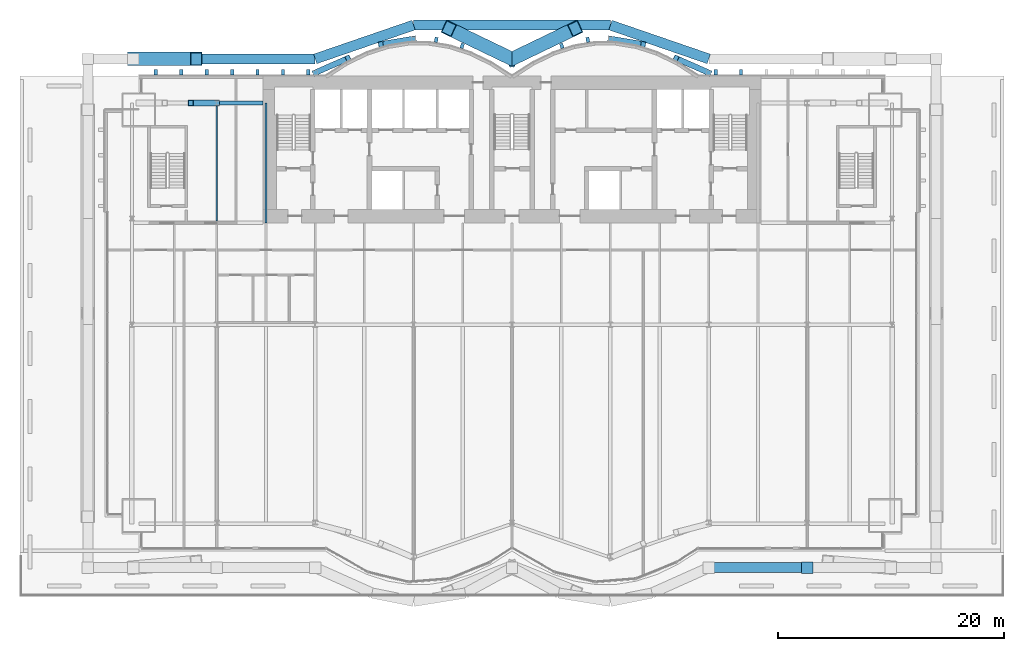
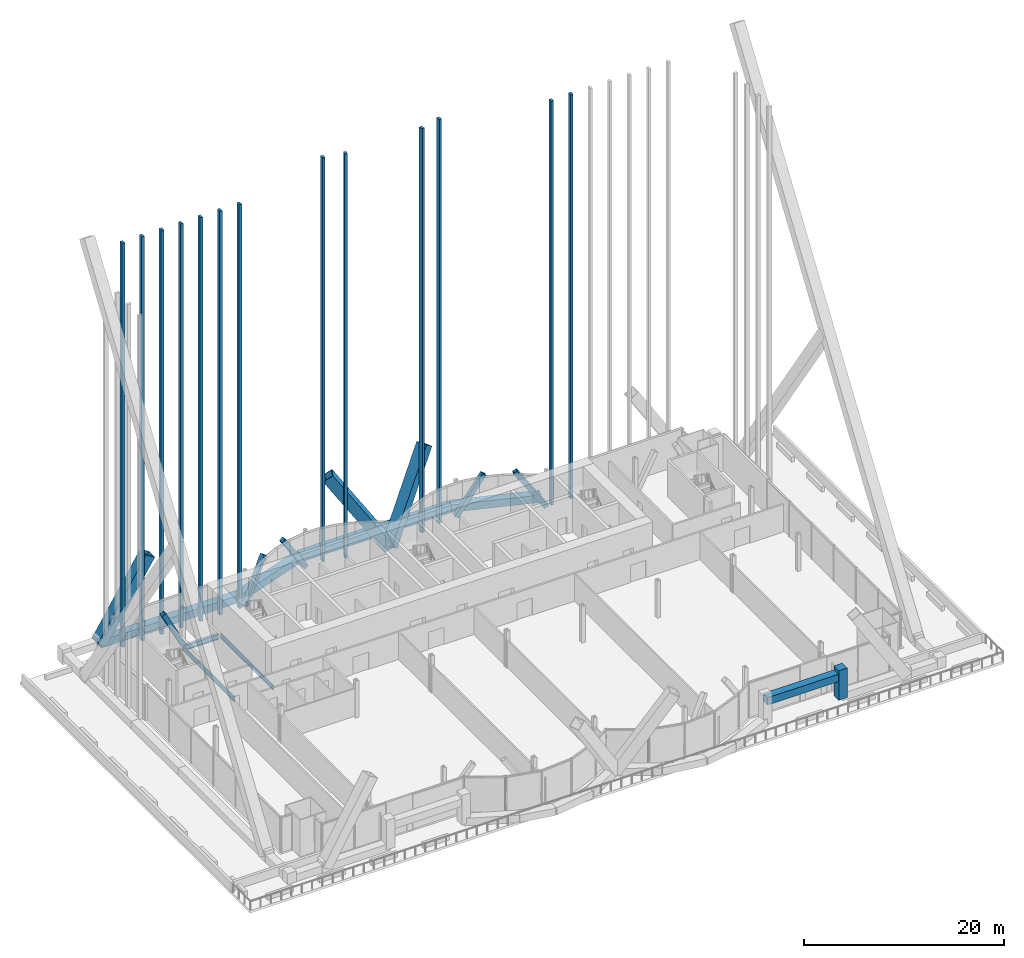
# One storey, part 14 of 29: 27 members, 3 beams, 6 elements without a shape of their own.
"""IFC4 building model written with IfcOpenShell, lengths in metres."""

from ifc_helpers import new_model, si_unit, direction, frame, origin, origin_2d, place, context, subcontext, project, spatial, rectangle, hollow_rectangle, i_section, extrude, material, material_profile, profile_set, type_object, element, aggregate, save


model = new_model("IFC4")

# Units and contexts
model_context = context("Model", 3, precision=1e-05, world=origin(), true_north=direction((0.0, 1.0)))
body_context = subcontext(model_context, "Body", "Model", "MODEL_VIEW")
ifc_project = project(units=[si_unit("LENGTHUNIT", "METRE"), si_unit("AREAUNIT", "SQUARE_METRE"), si_unit("VOLUMEUNIT", "CUBIC_METRE"), si_unit("PLANEANGLEUNIT", "RADIAN"), si_unit("MASSUNIT", "GRAM", prefix="KILO")], contexts=[model_context])

# Site, building, storey
site_placement = place(None, origin())
site = spatial("IfcSite", under=ifc_project, at=site_placement, CompositionType="ELEMENT")
building_placement = place(site_placement, origin())
building = spatial("IfcBuilding", under=site, at=building_placement, Name="Bicima Exchange Tower", CompositionType="ELEMENT")
storey_placement = place(building_placement, frame((0.0, 0.0, 35.0)))
storey = spatial("IfcBuildingStorey", under=building, at=storey_placement, Name="L06", CompositionType="ELEMENT", Elevation=35.0)

# Members
ifc_material_1 = material(Name="Steel ASTM A572 Gr 50", Category="steel")
ifc_material_profile_1 = material_profile(ifc_material_1, hollow_rectangle(XDim=0.89990234375, YDim=0.89990234375, WallThickness=0.050048828125, at=origin_2d()))
ifc_profile_set_1 = profile_set([ifc_material_profile_1], Name="Steel ASTM A572 Gr 50")
member_type_1 = type_object("IfcMemberType", Name="Exo belt ring BOX 900x900x50", PredefinedType="CHORD", material=ifc_profile_set_1)
member_1_placement = place(storey_placement, frame((17.39990234375, -43.4755859375, 2.949951171875), z_axis=(1.0, 0.0, 0.0), x_axis=(0.0, 1.0, 0.0)))
element("IfcMember", 1, at=member_1_placement, inside=storey, type_object=member_type_1, Name="Exo belt ring", PredefinedType="CHORD", context=body_context, shape_type="SweptSolid", body=[
    extrude(hollow_rectangle(XDim=0.89990234375, YDim=0.89990234375, WallThickness=0.050048828125, at=origin_2d()), origin(), (0.0, 0.0, 1.0), 8.7001953125),
])
member_2_placement = place(storey_placement, frame((17.39990234375, 1.5, 0.449951171875), z_axis=(-0.945666456746, 0.325138359143, 0.0), x_axis=(-0.325138359143, -0.945666456746, 0.0)))
element("IfcMember", 2, at=member_2_placement, inside=storey, type_object=member_type_1, Name="Exo belt ring", PredefinedType="CHORD", context=body_context, shape_type="SweptSolid", body=[
    extrude(hollow_rectangle(XDim=0.89990234375, YDim=0.89990234375, WallThickness=0.050048828125, at=origin_2d()), origin(), (0.0, 0.0, 1.0), 9.19970703125),
])
member_3_placement = place(storey_placement, frame((8.699951171875, 4.4912109375, 0.449951171875), z_axis=(-1.0, 0.0, 0.0), x_axis=(0.0, -1.0, 0.0)))
element("IfcMember", 3, at=member_3_placement, inside=storey, type_object=member_type_1, Name="Exo belt ring", PredefinedType="CHORD", context=body_context, shape_type="SweptSolid", body=[
    extrude(hollow_rectangle(XDim=0.89990234375, YDim=0.89990234375, WallThickness=0.050048828125, at=origin_2d()), origin(), (0.0, 0.0, 1.0), 17.39990234375),
])
member_4_placement = place(storey_placement, frame((-8.699951171875, 4.4912109375, 0.449951171875), z_axis=(-0.945666456746, -0.325138359143, 0.0), x_axis=(0.325138359143, -0.945666456746, 0.0)))
element("IfcMember", 4, at=member_4_placement, inside=storey, type_object=member_type_1, Name="Exo belt ring", PredefinedType="CHORD", context=body_context, shape_type="SweptSolid", body=[
    extrude(hollow_rectangle(XDim=0.89990234375, YDim=0.89990234375, WallThickness=0.050048828125, at=origin_2d()), origin(), (0.0, 0.0, 1.0), 9.19970703125),
])
member_5_placement = place(storey_placement, frame((-17.39990234375, 1.5, 0.449951171875), z_axis=(-1.0, 0.0, 0.0), x_axis=(0.0, -1.0, 0.0)))
element("IfcMember", 5, at=member_5_placement, inside=storey, type_object=member_type_1, Name="Exo belt ring", PredefinedType="CHORD", context=body_context, shape_type="SweptSolid", body=[
    extrude(hollow_rectangle(XDim=0.89990234375, YDim=0.89990234375, WallThickness=0.050048828125, at=origin_2d()), origin(), (0.0, 0.0, 1.0), 16.10009765625),
])
ifc_material_profile_2 = material_profile(ifc_material_1, hollow_rectangle(XDim=1.199951171875, YDim=1.199951171875, WallThickness=0.070068359375, at=origin_2d()))
ifc_profile_set_2 = profile_set([ifc_material_profile_2], Name="Steel ASTM A572 Gr 50")
member_type_2 = type_object("IfcMemberType", Name="Exo mega brace BOX 1200x1200x70", PredefinedType="BRACE", material=ifc_profile_set_2)
member_6_placement = place(storey_placement, frame((-33.5, 1.5, 0.449951171875), z_axis=(0.53034701569, 0.0, 0.847780657334), x_axis=(0.0, 1.0, 0.0)))
element("IfcMember", 6, at=member_6_placement, inside=storey, type_object=member_type_2, Name="Exo mega brace rear", PredefinedType="BRACE", context=body_context, shape_type="SweptSolid", body=[
    extrude(hollow_rectangle(XDim=1.199951171875, YDim=1.199951171875, WallThickness=0.070068359375, at=origin_2d()), origin(), (0.0, 0.0, 1.0), 10.527587890625),
])
for number, where, z_axis, x_axis, name in (
    (7, (0.0, 1.5, 0.449951171875), (0.513878528582, 0.24726570154, 0.821455130061), (-0.433591692225, 0.901109451972, 0.0), "Exo mega brace rear"),
    (8, (0.0, 1.5, 0.449951171875), (-0.513878528582, 0.24726570154, 0.821455130061), (-0.433591692225, -0.901109451972, 0.0), "Exo mega brace rear"),
):
    element("IfcMember", number, at=place(storey_placement, frame(where, z_axis=z_axis, x_axis=x_axis)), inside=storey, type_object=member_type_2, Name=name, PredefinedType="BRACE", context=body_context, shape_type="SweptSolid", body=[
        extrude(hollow_rectangle(XDim=1.199951171875, YDim=1.199951171875, WallThickness=0.070068359375, at=origin_2d()), origin(), (0.0, 0.0, 1.0), 10.864990234375),
    ])
ifc_material_2 = material(Name="Cast steel ASTM A216 Gr WCB", Category="steel")
ifc_material_profile_3 = material_profile(ifc_material_2, rectangle(XDim=1.0, YDim=1.0, at=origin_2d()))
ifc_profile_set_3 = profile_set([ifc_material_profile_3], Name="Cast steel ASTM A216 Gr WCB")
member_type_3 = type_object("IfcMemberType", Name="Exo node block", PredefinedType="POST", material=ifc_profile_set_3)
member_7_placement = place(storey_placement, frame((26.10009765625, -43.4755859375, 0.25), z_axis=(0.0, 0.0, 1.0), x_axis=(1.0, 0.0, 0.0)))
element("IfcMember", 9, at=member_7_placement, inside=storey, type_object=member_type_3, Name="Exo node block", PredefinedType="POST", context=body_context, shape_type="SweptSolid", body=[
    extrude(rectangle(XDim=1.0, YDim=1.0, at=origin_2d()), origin(), (0.0, 0.0, 1.0), 3.60009765625),
])

# Beams
ifc_material_3 = material(Name="Steel ASTM A992 Gr 50", Category="steel")
ifc_material_profile_4 = material_profile(ifc_material_3, i_section(OverallWidth=0.165771484375, OverallDepth=0.5283203125, WebThickness=0.009765625, FlangeThickness=0.013671875, at=origin_2d()))
ifc_profile_set_4 = profile_set([ifc_material_profile_4], Name="Steel ASTM A992 Gr 50")
beam_type_1 = type_object("IfcBeamType", Name="Floor beam W21x50", PredefinedType="JOIST", material=ifc_profile_set_4)
beam_1_placement = place(storey_placement, frame((-26.10009765625, -2.5625, -0.414306640625), z_axis=(0.0, -1.0, 0.0), x_axis=(1.0, 0.0, 0.0)))
element("IfcBeam", 10, at=beam_1_placement, inside=storey, type_object=beam_type_1, Name="Floor beam", PredefinedType="JOIST", context=body_context, shape_type="SweptSolid", body=[
    extrude(i_section(OverallWidth=0.165771484375, OverallDepth=0.5283203125, WebThickness=0.009765625, FlangeThickness=0.013671875, at=origin_2d()), origin(), (0.0, 0.0, 1.0), 10.28515625),
])
beam_2_placement = place(storey_placement, frame((-21.75, -2.39990234375, -0.414306640625), z_axis=(0.0, -1.0, 0.0), x_axis=(1.0, 0.0, 0.0)))
element("IfcBeam", 11, at=beam_2_placement, inside=storey, type_object=beam_type_1, Name="Floor beam", PredefinedType="JOIST", context=body_context, shape_type="SweptSolid", body=[
    extrude(i_section(OverallWidth=0.165771484375, OverallDepth=0.5283203125, WebThickness=0.009765625, FlangeThickness=0.013671875, at=origin_2d()), origin(), (0.0, 0.0, 1.0), 10.60009765625),
])

# Members
ifc_material_profile_5 = material_profile(ifc_material_1, hollow_rectangle(XDim=0.508056640625, YDim=0.508056640625, WallThickness=0.017822265625, at=origin_2d()))
ifc_profile_set_5 = profile_set([ifc_material_profile_5], Name="Steel ASTM A572 Gr 50")
member_type_4 = type_object("IfcMemberType", Name="Mega brace HSS20x20x3/4", PredefinedType="BRACE", material=ifc_profile_set_5)
member_8_placement = place(storey_placement, frame((-17.39990234375, 0.278076171875, 0.0), z_axis=(0.526881390073, 0.232212836928, 0.817602103202), x_axis=(-0.403298774981, 0.915068357063, 0.0)))
element("IfcMember", 12, at=member_8_placement, inside=storey, type_object=member_type_4, Name="Mega brace rexo", PredefinedType="BRACE", context=body_context, shape_type="SweptSolid", body=[
    extrude(hollow_rectangle(XDim=0.508056640625, YDim=0.508056640625, WallThickness=0.017822265625, at=origin_2d()), origin(), (0.0, 0.0, 1.0), 5.50390625),
])
for number, where, z_axis, x_axis, name in (
    (13, (-8.699951171875, 3.26904296875, 0.0), (-0.539503643625, -0.090379009244, 0.837118541906), (0.165220206918, -0.9862567025, 0.0), "Mega brace rexo"),
    (14, (8.699951171875, 3.26904296875, 0.0), (0.539503643625, -0.090379009244, 0.837118541906), (0.165220206918, 0.9862567025, 0.0), "Mega brace rexo"),
):
    element("IfcMember", number, at=place(storey_placement, frame(where, z_axis=z_axis, x_axis=x_axis)), inside=storey, type_object=member_type_4, Name=name, PredefinedType="BRACE", context=body_context, shape_type="SweptSolid", body=[
        extrude(hollow_rectangle(XDim=0.508056640625, YDim=0.508056640625, WallThickness=0.017822265625, at=origin_2d()), origin(), (0.0, 0.0, 1.0), 5.37548828125),
    ])
member_9_placement = place(storey_placement, frame((17.39990234375, 0.278076171875, 0.0), z_axis=(-0.526881390073, 0.232212836928, 0.817602103202), x_axis=(-0.403298774981, -0.915068357063, 0.0)))
element("IfcMember", 15, at=member_9_placement, inside=storey, type_object=member_type_4, Name="Mega brace rexo", PredefinedType="BRACE", context=body_context, shape_type="SweptSolid", body=[
    extrude(hollow_rectangle(XDim=0.508056640625, YDim=0.508056640625, WallThickness=0.017822265625, at=origin_2d()), origin(), (0.0, 0.0, 1.0), 5.50390625),
])
member_10_placement = place(storey_placement, frame((-26.10009765625, -2.39990234375, 0.0), z_axis=(-0.455080416514, 0.0, 0.89045034365), x_axis=(0.0, -1.0, 0.0)))
element("IfcMember", 16, at=member_10_placement, inside=storey, type_object=member_type_4, Name="Mega brace rear", PredefinedType="BRACE", context=body_context, shape_type="SweptSolid", body=[
    extrude(hollow_rectangle(XDim=0.508056640625, YDim=0.508056640625, WallThickness=0.017822265625, at=origin_2d()), origin(), (0.0, 0.0, 1.0), 5.0537109375),
])

# Curtain wall, members
ifc_material_4 = material(Name="Anodised bronze aluminium", Category="aluminium")
curtain_wall_type = type_object("IfcCurtainWallType", Name="Rear blade screen", PredefinedType="NOTDEFINED", material=ifc_material_4)
curtain_wall_1_placement = place(storey_placement, origin())
curtain_wall_1 = element("IfcCurtainWall", 17, at=curtain_wall_1_placement, inside=storey, type_object=curtain_wall_type, Name="Rear blade screen L06-L16 W", PredefinedType="NOTDEFINED")
ifc_material_profile_6 = material_profile(ifc_material_4, rectangle(XDim=0.449951171875, YDim=0.300048828125, at=origin_2d()))
ifc_profile_set_6 = profile_set([ifc_material_profile_6], Name="Anodised bronze aluminium")
member_type_5 = type_object("IfcMemberType", Name="Rear blade fin 450 x 300", PredefinedType="USERDEFINED", material=ifc_profile_set_6)
member_11_placement = place(storey_placement, frame((-31.5, 0.324951171875, 0.0), z_axis=(0.0, 0.0, 1.0), x_axis=(0.0, 1.0, 0.0)))
member_11 = element("IfcMember", 18, at=member_11_placement, type_object=member_type_5, Name="Rear blade fin L06-L16 2", ObjectType="FIN", PredefinedType="USERDEFINED", context=body_context, shape_type="SweptSolid", body=[
    extrude(rectangle(XDim=0.449951171875, YDim=0.300048828125, at=origin_2d()), origin(), (0.0, 0.0, 1.0), 49.300048828125),
])
member_12_placement = place(storey_placement, frame((-29.25, 0.324951171875, 0.0), z_axis=(0.0, 0.0, 1.0), x_axis=(0.0, 1.0, 0.0)))
member_12 = element("IfcMember", 19, at=member_12_placement, type_object=member_type_5, Name="Rear blade fin L06-L16 3", ObjectType="FIN", PredefinedType="USERDEFINED", context=body_context, shape_type="SweptSolid", body=[
    extrude(rectangle(XDim=0.449951171875, YDim=0.300048828125, at=origin_2d()), origin(), (0.0, 0.0, 1.0), 49.300048828125),
])
member_13_placement = place(storey_placement, frame((-27.0, 0.324951171875, 0.0), z_axis=(0.0, 0.0, 1.0), x_axis=(0.0, 1.0, 0.0)))
member_13 = element("IfcMember", 20, at=member_13_placement, type_object=member_type_5, Name="Rear blade fin L06-L16 4", ObjectType="FIN", PredefinedType="USERDEFINED", context=body_context, shape_type="SweptSolid", body=[
    extrude(rectangle(XDim=0.449951171875, YDim=0.300048828125, at=origin_2d()), origin(), (0.0, 0.0, 1.0), 49.300048828125),
])
member_14_placement = place(storey_placement, frame((-24.75, 0.324951171875, 0.0), z_axis=(0.0, 0.0, 1.0), x_axis=(0.0, 1.0, 0.0)))
member_14 = element("IfcMember", 21, at=member_14_placement, type_object=member_type_5, Name="Rear blade fin L06-L16 5", ObjectType="FIN", PredefinedType="USERDEFINED", context=body_context, shape_type="SweptSolid", body=[
    extrude(rectangle(XDim=0.449951171875, YDim=0.300048828125, at=origin_2d()), origin(), (0.0, 0.0, 1.0), 49.300048828125),
])
member_15_placement = place(storey_placement, frame((-22.5, 0.324951171875, 0.0), z_axis=(0.0, 0.0, 1.0), x_axis=(0.0, 1.0, 0.0)))
member_15 = element("IfcMember", 22, at=member_15_placement, type_object=member_type_5, Name="Rear blade fin L06-L16 6", ObjectType="FIN", PredefinedType="USERDEFINED", context=body_context, shape_type="SweptSolid", body=[
    extrude(rectangle(XDim=0.449951171875, YDim=0.300048828125, at=origin_2d()), origin(), (0.0, 0.0, 1.0), 49.300048828125),
])
member_16_placement = place(storey_placement, frame((-20.25, 0.324951171875, 0.0), z_axis=(0.0, 0.0, 1.0), x_axis=(0.0, 1.0, 0.0)))
member_16 = element("IfcMember", 23, at=member_16_placement, type_object=member_type_5, Name="Rear blade fin L06-L16 7", ObjectType="FIN", PredefinedType="USERDEFINED", context=body_context, shape_type="SweptSolid", body=[
    extrude(rectangle(XDim=0.449951171875, YDim=0.300048828125, at=origin_2d()), origin(), (0.0, 0.0, 1.0), 49.300048828125),
])
member_17_placement = place(storey_placement, frame((-18.0, 0.324951171875, 0.0), z_axis=(0.0, 0.0, 1.0), x_axis=(0.0, 1.0, 0.0)))
member_17 = element("IfcMember", 24, at=member_17_placement, type_object=member_type_5, Name="Rear blade fin L06-L16 8", ObjectType="FIN", PredefinedType="USERDEFINED", context=body_context, shape_type="SweptSolid", body=[
    extrude(rectangle(XDim=0.449951171875, YDim=0.300048828125, at=origin_2d()), origin(), (0.0, 0.0, 1.0), 49.300048828125),
])
aggregate(curtain_wall_1, [member_11, member_12, member_13, member_14, member_15, member_16, member_17])

# Curtain wall, member
curtain_wall_2_placement = place(storey_placement, origin())
curtain_wall_2 = element("IfcCurtainWall", 25, at=curtain_wall_2_placement, inside=storey, type_object=curtain_wall_type, Name="Rear blade screen L06-L16 bay", PredefinedType="NOTDEFINED")
member_18_placement = place(storey_placement, frame((-6.697998046875, 3.189697265625, 0.0), z_axis=(0.0, 0.0, 1.0), x_axis=(0.159548663212, 0.987190064814, 0.0)))
member_18 = element("IfcMember", 26, at=member_18_placement, type_object=member_type_5, Name="Rear blade fin L06-L16 9", ObjectType="FIN", PredefinedType="USERDEFINED", context=body_context, shape_type="SweptSolid", body=[
    extrude(rectangle(XDim=0.449951171875, YDim=0.300048828125, at=origin_2d()), origin(), (0.0, 0.0, 1.0), 49.300048828125),
])
aggregate(curtain_wall_2, [member_18])

curtain_wall_3_placement = place(storey_placement, origin())
curtain_wall_3 = element("IfcCurtainWall", 27, at=curtain_wall_3_placement, inside=storey, type_object=curtain_wall_type, Name="Rear blade screen L06-L16 bay", PredefinedType="NOTDEFINED")
member_19_placement = place(storey_placement, frame((-4.39990234375, 2.652587890625, 0.0), z_axis=(0.0, 0.0, 1.0), x_axis=(0.307567537632, 0.951526252814, 0.0)))
member_19 = element("IfcMember", 28, at=member_19_placement, type_object=member_type_5, Name="Rear blade fin L06-L16 10", ObjectType="FIN", PredefinedType="USERDEFINED", context=body_context, shape_type="SweptSolid", body=[
    extrude(rectangle(XDim=0.449951171875, YDim=0.300048828125, at=origin_2d()), origin(), (0.0, 0.0, 1.0), 49.300048828125),
])
aggregate(curtain_wall_3, [member_19])

curtain_wall_4_placement = place(storey_placement, origin())
curtain_wall_4 = element("IfcCurtainWall", 29, at=curtain_wall_4_placement, inside=storey, type_object=curtain_wall_type, Name="Rear blade screen L06-L16 bay", PredefinedType="NOTDEFINED")
member_20_placement = place(storey_placement, frame((4.39990234375, 2.652587890625, 0.0), z_axis=(0.0, 0.0, 1.0), x_axis=(-0.307567537632, 0.951526252814, 0.0)))
member_20 = element("IfcMember", 30, at=member_20_placement, type_object=member_type_5, Name="Rear blade fin L06-L16 11", ObjectType="FIN", PredefinedType="USERDEFINED", context=body_context, shape_type="SweptSolid", body=[
    extrude(rectangle(XDim=0.449951171875, YDim=0.300048828125, at=origin_2d()), origin(), (0.0, 0.0, 1.0), 49.300048828125),
])
aggregate(curtain_wall_4, [member_20])

curtain_wall_5_placement = place(storey_placement, origin())
curtain_wall_5 = element("IfcCurtainWall", 31, at=curtain_wall_5_placement, inside=storey, type_object=curtain_wall_type, Name="Rear blade screen L06-L16 bay", PredefinedType="NOTDEFINED")
member_21_placement = place(storey_placement, frame((6.697998046875, 3.189697265625, 0.0), z_axis=(0.0, 0.0, 1.0), x_axis=(-0.159548663212, 0.987190064814, 0.0)))
member_21 = element("IfcMember", 32, at=member_21_placement, type_object=member_type_5, Name="Rear blade fin L06-L16 12", ObjectType="FIN", PredefinedType="USERDEFINED", context=body_context, shape_type="SweptSolid", body=[
    extrude(rectangle(XDim=0.449951171875, YDim=0.300048828125, at=origin_2d()), origin(), (0.0, 0.0, 1.0), 49.300048828125),
])
aggregate(curtain_wall_5, [member_21])

# Curtain wall, members
curtain_wall_6_placement = place(storey_placement, origin())
curtain_wall_6 = element("IfcCurtainWall", 33, at=curtain_wall_6_placement, inside=storey, type_object=curtain_wall_type, Name="Rear blade screen L06-L16 E", PredefinedType="NOTDEFINED")
member_22_placement = place(storey_placement, frame((18.0, 0.324951171875, 0.0), z_axis=(0.0, 0.0, 1.0), x_axis=(0.0, 1.0, 0.0)))
member_22 = element("IfcMember", 34, at=member_22_placement, type_object=member_type_5, Name="Rear blade fin L06-L16 13", ObjectType="FIN", PredefinedType="USERDEFINED", context=body_context, shape_type="SweptSolid", body=[
    extrude(rectangle(XDim=0.449951171875, YDim=0.300048828125, at=origin_2d()), origin(), (0.0, 0.0, 1.0), 49.300048828125),
])
member_23_placement = place(storey_placement, frame((20.25, 0.324951171875, 0.0), z_axis=(0.0, 0.0, 1.0), x_axis=(0.0, 1.0, 0.0)))
member_23 = element("IfcMember", 35, at=member_23_placement, type_object=member_type_5, Name="Rear blade fin L06-L16 14", ObjectType="FIN", PredefinedType="USERDEFINED", context=body_context, shape_type="SweptSolid", body=[
    extrude(rectangle(XDim=0.449951171875, YDim=0.300048828125, at=origin_2d()), origin(), (0.0, 0.0, 1.0), 49.300048828125),
])
aggregate(curtain_wall_6, [member_22, member_23])

# Beam
ifc_material_profile_7 = material_profile(ifc_material_3, i_section(OverallWidth=0.3251953125, OverallDepth=0.612060546875, WebThickness=0.0126953125, FlangeThickness=0.01904296875, at=origin_2d()))
ifc_profile_set_7 = profile_set([ifc_material_profile_7], Name="Steel ASTM A992 Gr 50")
beam_type_2 = type_object("IfcBeamType", Name="Rear girder W24x104", PredefinedType="BEAM", material=ifc_profile_set_7)
beam_3_placement = place(storey_placement, frame((-22.0, -2.39990234375, -0.4560546875), z_axis=(-1.0, 0.0, 0.0), x_axis=(0.0, -1.0, 0.0)))
element("IfcBeam", 36, at=beam_3_placement, inside=storey, type_object=beam_type_2, Name="Rear girder", PredefinedType="BEAM", context=body_context, shape_type="SweptSolid", body=[
    extrude(i_section(OverallWidth=0.3251953125, OverallDepth=0.612060546875, WebThickness=0.0126953125, FlangeThickness=0.01904296875, at=origin_2d()), origin(), (0.0, 0.0, 1.0), 4.10009765625),
])

save(model, "model.ifc")
